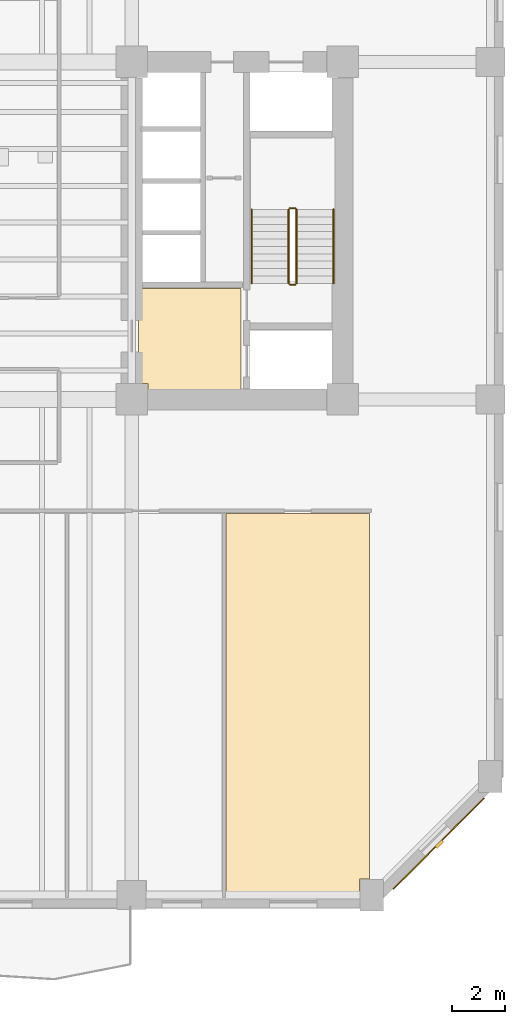
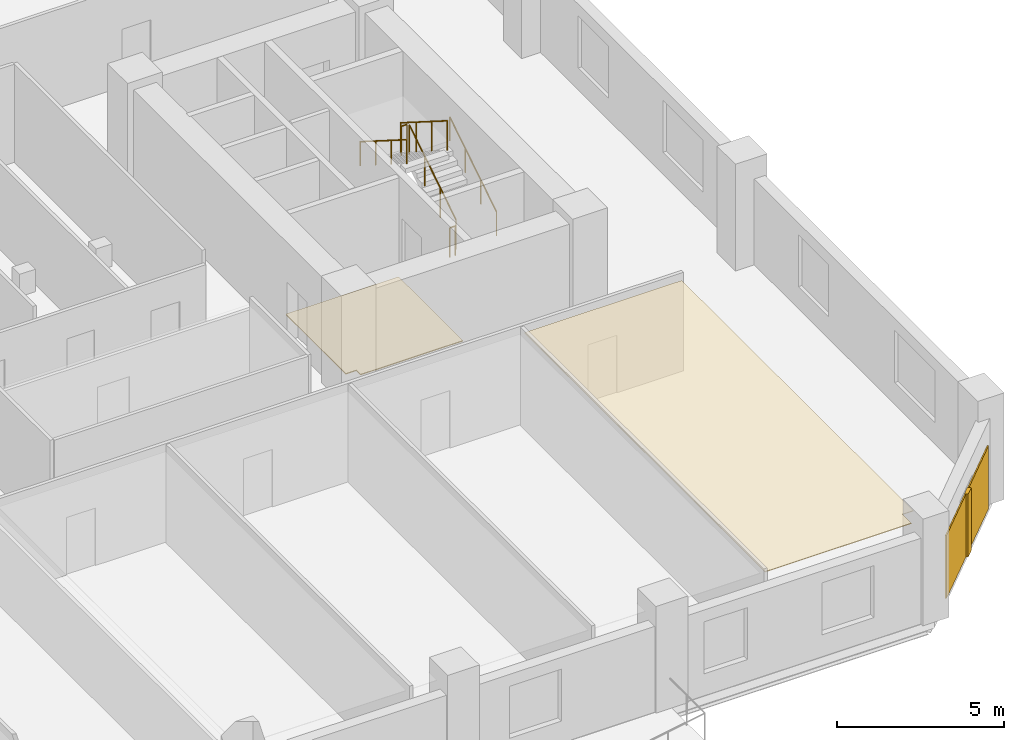
# One storey, part 8 of 10: 6 railings, 3 coverings, 1 shading device.
"""IFC4 building model written with IfcOpenShell, lengths in metres."""

from ifc_helpers import new_model, si_unit, direction, frame, origin, origin_2d, place, context, subcontext, project, spatial, polyline, rectangle, circle, outline, extrude, material, layer, layer_set, type_object, element, save


model = new_model("IFC4")

# Units and contexts
model_context = context("Model", 3, precision=1e-05, world=origin(), true_north=direction((0.0, 1.0)))
body_context = subcontext(model_context, "Body", "Model", "MODEL_VIEW")
ifc_project = project(units=[si_unit("LENGTHUNIT", "METRE"), si_unit("AREAUNIT", "SQUARE_METRE"), si_unit("VOLUMEUNIT", "CUBIC_METRE"), si_unit("PLANEANGLEUNIT", "RADIAN"), si_unit("MASSUNIT", "GRAM", prefix="KILO")], contexts=[model_context])

# Site, building, storey
site_placement = place(None, origin())
site = spatial("IfcSite", under=ifc_project, at=site_placement, CompositionType="ELEMENT")
building_placement = place(site_placement, origin())
building = spatial("IfcBuilding", under=site, at=building_placement, Name="Kranthara Brick Stack", CompositionType="ELEMENT")
storey_placement = place(building_placement, frame((0.0, 0.0, 39.89990234375)))
storey = spatial("IfcBuildingStorey", under=building, at=storey_placement, Name="L09", CompositionType="ELEMENT", Elevation=39.89990234375)

# Coverings
ifc_material_1 = material(Name="Perforated mineral-fibre acoustic ceiling tile", Category="other")
ifc_layer_1 = layer(ifc_material_1, 0.02490234375)
ifc_layer_set_1 = layer_set([ifc_layer_1], Name="Perforated mineral-fibre acoustic ceiling tile")
covering_type_1 = type_object("IfcCoveringType", Name="COV-CEIL-ACOUSTIC", PredefinedType="CEILING", material=ifc_layer_set_1)
covering_1_placement = place(storey_placement, frame((0.0, 0.0, 3.330078125)))
element("IfcCovering", 1, at=covering_1_placement, inside=storey, type_object=covering_type_1, Name="L09 L09 Boardroom 6 Acoustic Ceiling", PredefinedType="CEILING", context=body_context, shape_type="SweptSolid", body=[
    extrude(outline(polyline([(38.780029296875, 2.070068359375), (38.780029296875, 16.47998046875), (44.219970703125, 16.47998046875), (44.219970703125, 2.610107421875), (43.840087890625, 2.610107421875), (43.840087890625, 2.070068359375), (38.780029296875, 2.070068359375)])), origin(), (0.0, 0.0, 1.0), 0.02490234375),
])
ifc_material_2 = material(Name="Warm buff kiln-fired brick slip rainscreen", Category="masonry")
ifc_layer_2 = layer(ifc_material_2, 0.044921875)
ifc_layer_set_2 = layer_set([ifc_layer_2], Name="Warm buff kiln-fired brick slip rainscreen")
covering_type_2 = type_object("IfcCoveringType", Name="COV-CLAD-BRICK", PredefinedType="CLADDING", material=ifc_layer_set_2)
covering_2_placement = place(storey_placement, frame((46.843505859375, 3.95654296875, 0.05029296875), z_axis=(0.0, 0.0, 1.0), x_axis=(-0.707106781187, -0.707106781187, 0.0)))
element("IfcCovering", 2, at=covering_2_placement, inside=storey, type_object=covering_type_2, Name="L09 Chamfer Brick Rainscreen Cladding SE", PredefinedType="CLADDING", context=body_context, shape_type="SweptSolid", body=[
    extrude(rectangle(XDim=4.876953125, YDim=0.044921875, at=origin_2d()), origin(), (0.0, 0.0, 1.0), 2.300048828125),
])
ifc_material_3 = material(Name="Honed terrazzo and porcelain floor finish", Category="stone")
ifc_layer_3 = layer(ifc_material_3, 0.030029296875)
ifc_layer_set_3 = layer_set([ifc_layer_3], Name="Honed terrazzo and porcelain floor finish")
covering_type_3 = type_object("IfcCoveringType", Name="COV-FLOR-STONE", PredefinedType="FLOORING", material=ifc_layer_set_3)
covering_3_placement = place(storey_placement, origin())
element("IfcCovering", 3, at=covering_3_placement, inside=storey, type_object=covering_type_3, Name="L09 Lift Lobby Stone Flooring", PredefinedType="FLOORING", context=body_context, shape_type="SweptSolid", body=[
    extrude(outline(polyline([(35.449951171875, 25.0), (39.35009765625, 25.0), (39.35009765625, 21.14990234375), (35.81005859375, 21.14990234375), (35.81005859375, 21.409912109375), (35.449951171875, 21.409912109375), (35.449951171875, 25.0)])), origin(), (0.0, 0.0, 1.0), 0.030029296875),
])

# Railings
ifc_material_4 = material(Name="Painted galvanized steel stair guardrail", Category="steel")
railing_type_1 = type_object("IfcRailingType", Name="RL-STAIR-GUARD-1100", PredefinedType="GUARDRAIL", material=ifc_material_4)
railing_1_placement = place(storey_placement, frame((41.449951171875, 25.199951171875, 0.177490234375)))
element("IfcRailing", 4, at=railing_1_placement, inside=storey, type_object=railing_type_1, Name="L09 ST02 stair guard 1", PredefinedType="GUARDRAIL", context=body_context, shape_type="SweptSolid", body=[
    extrude(circle(Radius=0.02392578125, at=origin_2d()), frame((0.0, 0.0, 1.076171875), z_axis=(0.0, 0.844908973607, 0.534910110503), x_axis=(-1.0, 0.0, 0.0)), (0.0, 0.0, 1.0), 3.31396484375),
    extrude(circle(Radius=0.02099609375, at=origin_2d()), origin(), (0.0, 0.0, 1.0), 1.052001953125),
    extrude(circle(Radius=0.02099609375, at=origin_2d()), frame((0.0, 0.933349609375, 0.5908203125)), (0.0, 0.0, 1.0), 1.052001953125),
    extrude(circle(Radius=0.02099609375, at=origin_2d()), frame((0.0, 1.86669921875, 1.181884765625)), (0.0, 0.0, 1.0), 1.052001953125),
    extrude(circle(Radius=0.02099609375, at=origin_2d()), frame((0.0, 2.800048828125, 1.772705078125)), (0.0, 0.0, 1.0), 1.052001953125),
])
railing_2_placement = place(storey_placement, frame((41.39990234375, 28.050048828125, 1.9501953125)))
element("IfcRailing", 5, at=railing_2_placement, inside=storey, type_object=railing_type_1, Name="L09 ST02 stair guard 2", PredefinedType="GUARDRAIL", context=body_context, shape_type="SweptSolid", body=[
    extrude(circle(Radius=0.02392578125, at=origin_2d()), frame((0.0, 0.0, 1.076171875), z_axis=(-1.0, 0.0, 0.0), x_axis=(0.0, -1.0, 0.0)), (0.0, 0.0, 1.0), 0.199951171875),
    extrude(circle(Radius=0.02099609375, at=origin_2d()), origin(), (0.0, 0.0, 1.0), 1.052001953125),
    extrude(circle(Radius=0.02099609375, at=origin_2d()), frame((-0.199951171875, 0.0, 0.0)), (0.0, 0.0, 1.0), 1.052001953125),
])
railing_3_placement = place(storey_placement, frame((41.14990234375, 28.0, 2.12744140625)))
element("IfcRailing", 6, at=railing_3_placement, inside=storey, type_object=railing_type_1, Name="L09 ST02 stair guard 3", PredefinedType="GUARDRAIL", context=body_context, shape_type="SweptSolid", body=[
    extrude(circle(Radius=0.02392578125, at=origin_2d()), frame((0.0, 0.0, 1.076171875), z_axis=(0.0, -0.844908973607, 0.534910110503), x_axis=(1.0, 0.0, 0.0)), (0.0, 0.0, 1.0), 3.31396484375),
    extrude(circle(Radius=0.02099609375, at=origin_2d()), origin(), (0.0, 0.0, 1.0), 1.052001953125),
    extrude(circle(Radius=0.02099609375, at=origin_2d()), frame((0.0, -0.933349609375, 0.5908203125)), (0.0, 0.0, 1.0), 1.052001953125),
    extrude(circle(Radius=0.02099609375, at=origin_2d()), frame((0.0, -1.86669921875, 1.181884765625)), (0.0, 0.0, 1.0), 1.052001953125),
    extrude(circle(Radius=0.02099609375, at=origin_2d()), frame((0.0, -2.800048828125, 1.772705078125)), (0.0, 0.0, 1.0), 1.052001953125),
])
railing_4_placement = place(storey_placement, frame((41.39990234375, 25.14990234375, 0.0)))
element("IfcRailing", 7, at=railing_4_placement, inside=storey, type_object=railing_type_1, Name="L09 ST02 stair guard 4", PredefinedType="GUARDRAIL", context=body_context, shape_type="SweptSolid", body=[
    extrude(circle(Radius=0.02392578125, at=origin_2d()), frame((0.0, 0.0, 1.076171875), z_axis=(-1.0, 0.0, 0.0), x_axis=(0.0, -1.0, 0.0)), (0.0, 0.0, 1.0), 0.199951171875),
    extrude(circle(Radius=0.02099609375, at=origin_2d()), origin(), (0.0, 0.0, 1.0), 1.052001953125),
    extrude(circle(Radius=0.02099609375, at=origin_2d()), frame((-0.199951171875, 0.0, 0.0)), (0.0, 0.0, 1.0), 1.052001953125),
])
ifc_material_5 = material(Name="Brushed stainless steel tubular handrail", Category="steel")
railing_type_2 = type_object("IfcRailingType", Name="RL-STAIR-HAND-900", PredefinedType="HANDRAIL", material=ifc_material_5)
railing_5_placement = place(storey_placement, frame((42.85009765625, 25.199951171875, 0.177490234375)))
element("IfcRailing", 8, at=railing_5_placement, inside=storey, type_object=railing_type_2, Name="L09 ST02 stair handrail 1", PredefinedType="HANDRAIL", context=body_context, shape_type="SweptSolid", body=[
    extrude(circle(Radius=0.02392578125, at=origin_2d()), frame((0.0, 0.0, 0.8759765625), z_axis=(0.0, 0.844908973607, 0.534910110503), x_axis=(-1.0, 0.0, 0.0)), (0.0, 0.0, 1.0), 3.31396484375),
    extrude(circle(Radius=0.02099609375, at=origin_2d()), origin(), (0.0, 0.0, 1.0), 0.851806640625),
    extrude(circle(Radius=0.02099609375, at=origin_2d()), frame((0.0, 0.933349609375, 0.5908203125)), (0.0, 0.0, 1.0), 0.851806640625),
    extrude(circle(Radius=0.02099609375, at=origin_2d()), frame((0.0, 1.86669921875, 1.181884765625)), (0.0, 0.0, 1.0), 0.851806640625),
    extrude(circle(Radius=0.02099609375, at=origin_2d()), frame((0.0, 2.800048828125, 1.772705078125)), (0.0, 0.0, 1.0), 0.851806640625),
])
railing_6_placement = place(storey_placement, frame((39.75, 28.0, 2.12744140625)))
element("IfcRailing", 9, at=railing_6_placement, inside=storey, type_object=railing_type_2, Name="L09 ST02 stair handrail 2", PredefinedType="HANDRAIL", context=body_context, shape_type="SweptSolid", body=[
    extrude(circle(Radius=0.02392578125, at=origin_2d()), frame((0.0, 0.0, 0.8759765625), z_axis=(0.0, -0.844908973607, 0.534910110503), x_axis=(1.0, 0.0, 0.0)), (0.0, 0.0, 1.0), 3.31396484375),
    extrude(circle(Radius=0.02099609375, at=origin_2d()), origin(), (0.0, 0.0, 1.0), 0.851806640625),
    extrude(circle(Radius=0.02099609375, at=origin_2d()), frame((0.0, -0.933349609375, 0.5908203125)), (0.0, 0.0, 1.0), 0.851806640625),
    extrude(circle(Radius=0.02099609375, at=origin_2d()), frame((0.0, -1.86669921875, 1.181884765625)), (0.0, 0.0, 1.0), 0.851806640625),
    extrude(circle(Radius=0.02099609375, at=origin_2d()), frame((0.0, -2.800048828125, 1.772705078125)), (0.0, 0.0, 1.0), 0.851806640625),
])

# Shading device
ifc_material_6 = material(Name="Kiln-fired terracotta aerodynamic wind fin", Category="masonry")
shading_device_type = type_object("IfcShadingDeviceType", Name="SHD-BAFFLE-CORNER", PredefinedType="SHUTTER", material=ifc_material_6)
shading_device_placement = place(storey_placement, frame((46.86474609375, 3.935302734375, 0.05029296875), z_axis=(0.0, 0.0, 1.0), x_axis=(-0.707106781187, -0.707106781187, 0.0)))
element("IfcShadingDevice", 10, at=shading_device_placement, inside=storey, type_object=shading_device_type, Name="L09 Chamfer Wind-Baffle Fin SE", PredefinedType="SHUTTER", context=body_context, shape_type="SweptSolid", body=[
    extrude(rectangle(XDim=0.35009765625, YDim=0.1201171875, at=origin_2d()), origin(), (0.0, 0.0, 1.0), 2.300048828125),
])

save(model, "model.ifc")
